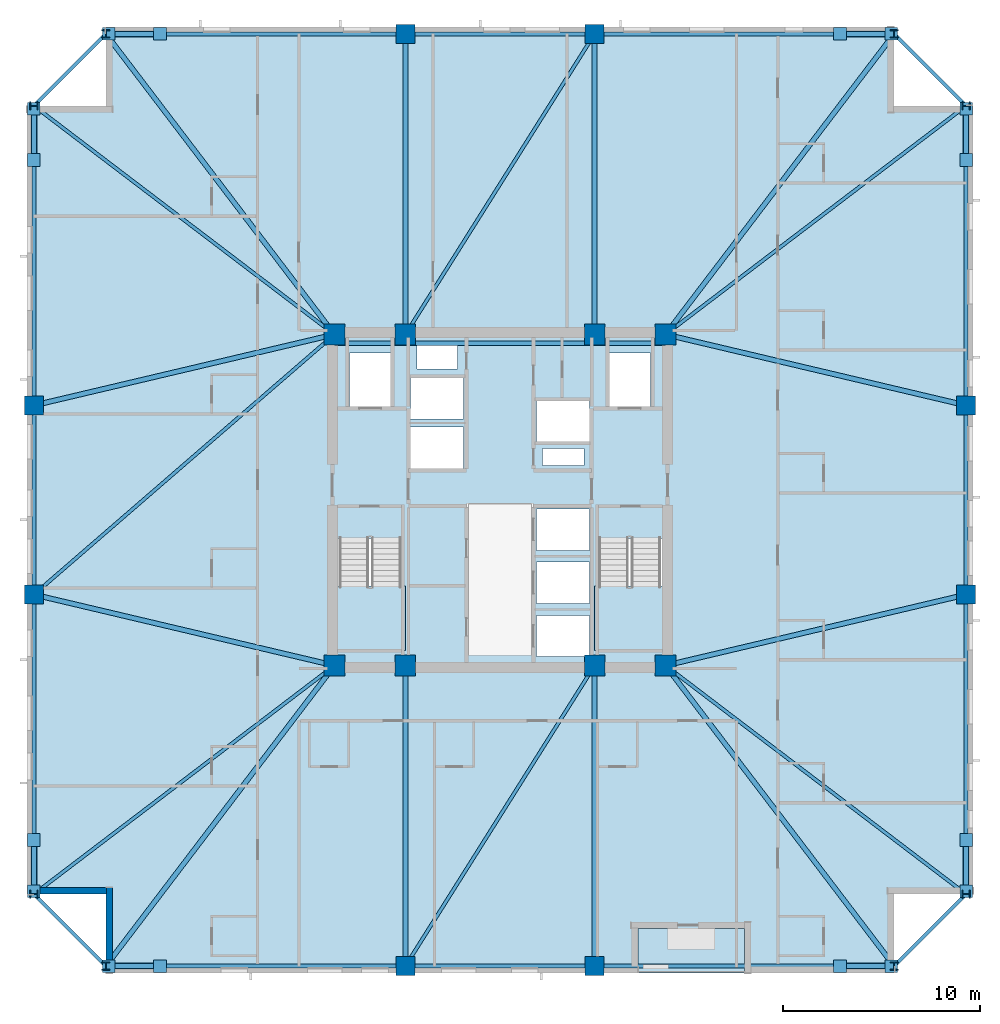
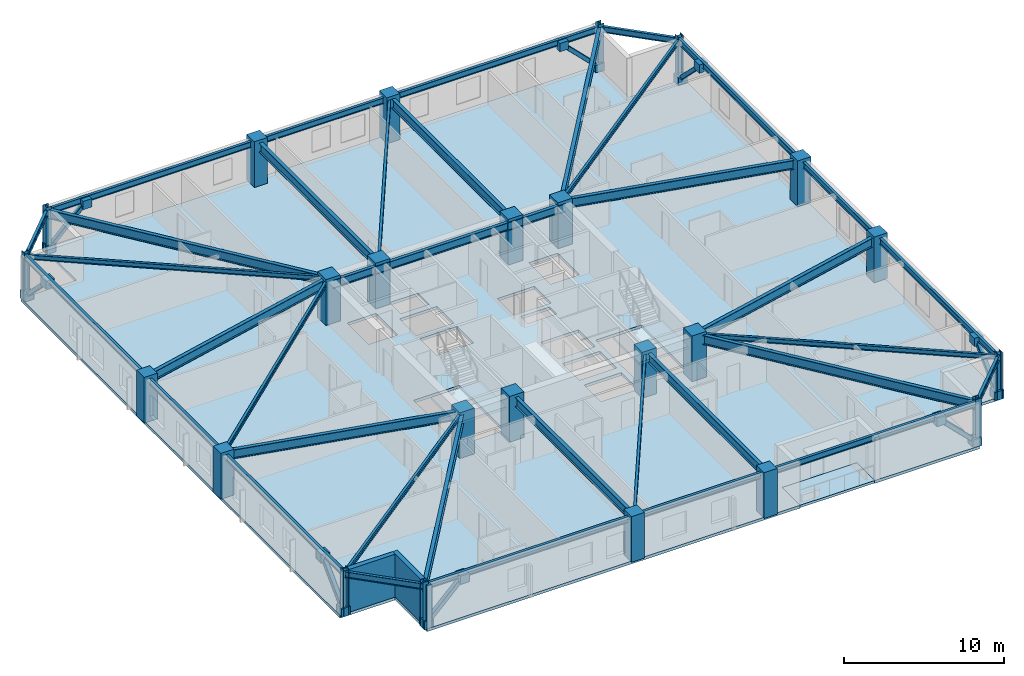
# One storey, part 1 of 11: 38 beams, 24 columns, 16 plates, 8 members, 4 slabs, 2 walls, 2 elements without a shape of their own.
"""IFC4 building model written with IfcOpenShell, lengths in metres."""

from ifc_helpers import new_model, si_unit, direction, frame, frame_2d, origin, origin_2d, place, context, subcontext, project, spatial, polyline, rectangle, hollow_rectangle, i_section, outline, extrude, material, layer, layer_set, material_profile, profile_set, type_object, element, aggregate, save


model = new_model("IFC4")

# Units and contexts
model_context = context("Model", 3, precision=1e-05, world=origin(), true_north=direction((0.0, 1.0)))
body_context = subcontext(model_context, "Body", "Model", "MODEL_VIEW")
ifc_project = project(units=[si_unit("LENGTHUNIT", "METRE"), si_unit("AREAUNIT", "SQUARE_METRE"), si_unit("VOLUMEUNIT", "CUBIC_METRE"), si_unit("PLANEANGLEUNIT", "RADIAN"), si_unit("MASSUNIT", "GRAM", prefix="KILO")], contexts=[model_context])

# Site, building, storey
site_placement = place(None, origin())
site = spatial("IfcSite", under=ifc_project, at=site_placement, CompositionType="ELEMENT")
building_placement = place(site_placement, origin())
building = spatial("IfcBuilding", under=site, at=building_placement, Name="Cairnveth Concourse Tower", CompositionType="ELEMENT")
storey_placement = place(building_placement, frame((0.0, 0.0, 169.0)))
storey = spatial("IfcBuildingStorey", under=building, at=storey_placement, Name="L46", CompositionType="ELEMENT", Elevation=169.0)

# Columns
ifc_material_1 = material(Name="Concrete N65 (65 MPa)", Category="concrete")
ifc_material_profile_1 = material_profile(ifc_material_1, rectangle(XDim=1.050048828125, YDim=1.050048828125, at=origin_2d()), Name="RC-COL-1050x1050")
ifc_profile_set_1 = profile_set([ifc_material_profile_1], Name="Concrete N65 (65 MPa)")
column_type_1 = type_object("IfcColumnType", Name="CORE COLUMN 1050X1050", PredefinedType="COLUMN", material=ifc_profile_set_1)
for number, where, z_axis, x_axis, name in (
    (1, (43.60009765625, 30.60009765625, 0.0), (0.0, 0.0, 1.0), (1.0, 0.0, 0.0), "Column CC1 L46"),
    (2, (47.199951171875, 30.60009765625, 0.0), (0.0, 0.0, 1.0), (1.0, 0.0, 0.0), "Column CC2 L46"),
    (3, (56.800048828125, 30.60009765625, 0.0), (0.0, 0.0, 1.0), (1.0, 0.0, 0.0), "Column CC3 L46"),
    (4, (60.39990234375, 30.60009765625, 0.0), (0.0, 0.0, 1.0), (1.0, 0.0, 0.0), "Column CC4 L46"),
    (5, (43.60009765625, 47.39990234375, 0.0), (0.0, 0.0, 1.0), (1.0, 0.0, 0.0), "Column CC5 L46"),
    (6, (47.199951171875, 47.39990234375, 0.0), (0.0, 0.0, 1.0), (1.0, 0.0, 0.0), "Column CC6 L46"),
    (7, (56.800048828125, 47.39990234375, 0.0), (0.0, 0.0, 1.0), (1.0, 0.0, 0.0), "Column CC7 L46"),
    (8, (60.39990234375, 47.39990234375, 0.0), (0.0, 0.0, 1.0), (1.0, 0.0, 0.0), "Column CC8 L46"),
):
    element("IfcColumn", number, at=place(storey_placement, frame(where, z_axis=z_axis, x_axis=x_axis)), inside=storey, type_object=column_type_1, Name=name, PredefinedType="COLUMN", context=body_context, shape_type="SweptSolid", body=[
        extrude(rectangle(XDim=1.050048828125, YDim=1.050048828125, at=origin_2d()), origin(), (0.0, 0.0, 1.0), 3.5),
    ])
ifc_material_profile_2 = material_profile(ifc_material_1, rectangle(XDim=0.949951171875, YDim=0.949951171875, at=origin_2d()), Name="RC-COL-950x950")
ifc_profile_set_2 = profile_set([ifc_material_profile_2], Name="Concrete N65 (65 MPa)")
column_type_2 = type_object("IfcColumnType", Name="PERIMETER PIER COLUMN 950X950", PredefinedType="COLUMN", material=ifc_profile_set_2)
for number, where, z_axis, x_axis, name in (
    (9, (47.199951171875, 15.35009765625, 0.0), (0.0, 0.0, 1.0), (1.0, 0.0, 0.0), "Column P-S2 L46"),
    (10, (56.800048828125, 15.35009765625, 0.0), (0.0, 0.0, 1.0), (1.0, 0.0, 0.0), "Column P-S3 L46"),
    (11, (75.64990234375, 34.199951171875, 0.0), (0.0, 0.0, 1.0), (0.0, 1.0, 0.0), "Column P-E2 L46"),
    (12, (75.64990234375, 43.800048828125, 0.0), (0.0, 0.0, 1.0), (0.0, 1.0, 0.0), "Column P-E3 L46"),
    (13, (56.800048828125, 62.64990234375, 0.0), (0.0, 0.0, 1.0), (1.0, 0.0, 0.0), "Column P-N2 L46"),
    (14, (47.199951171875, 62.64990234375, 0.0), (0.0, 0.0, 1.0), (1.0, 0.0, 0.0), "Column P-N3 L46"),
    (15, (28.35009765625, 43.800048828125, 0.0), (0.0, 0.0, 1.0), (0.0, 1.0, 0.0), "Column P-W2 L46"),
    (16, (28.35009765625, 34.199951171875, 0.0), (0.0, 0.0, 1.0), (0.0, 1.0, 0.0), "Column P-W3 L46"),
):
    element("IfcColumn", number, at=place(storey_placement, frame(where, z_axis=z_axis, x_axis=x_axis)), inside=storey, type_object=column_type_2, Name=name, PredefinedType="COLUMN", context=body_context, shape_type="SweptSolid", body=[
        extrude(rectangle(XDim=0.949951171875, YDim=0.949951171875, at=origin_2d()), origin(), (0.0, 0.0, 1.0), 3.5),
    ])
ifc_material_2 = material(Name="Steel Grade 350", Category="steel")
ifc_material_profile_3 = material_profile(ifc_material_2, i_section(OverallWidth=0.39990234375, OverallDepth=0.39990234375, WebThickness=0.02197265625, FlangeThickness=0.035888671875, at=origin_2d()), Name="400WC270")
ifc_profile_set_3 = profile_set([ifc_material_profile_3], Name="Steel Grade 350")
column_type_3 = type_object("IfcColumnType", Name="WELDED STEEL COLUMN 400WC270", PredefinedType="COLUMN", material=ifc_profile_set_3)
for number, where, z_axis, x_axis, name in (
    (17, (32.0, 15.35009765625, 0.0), (0.0, 0.0, 1.0), (1.0, 0.0, 0.0), "Column P-S1 L46"),
    (18, (72.0, 15.35009765625, 0.0), (0.0, 0.0, 1.0), (1.0, 0.0, 0.0), "Column P-S4 L46"),
    (19, (75.64990234375, 19.0, 0.0), (0.0, 0.0, 1.0), (0.0, 1.0, 0.0), "Column P-E1 L46"),
    (20, (75.64990234375, 59.0, 0.0), (0.0, 0.0, 1.0), (0.0, 1.0, 0.0), "Column P-E4 L46"),
    (21, (72.0, 62.64990234375, 0.0), (0.0, 0.0, 1.0), (1.0, 0.0, 0.0), "Column P-N1 L46"),
    (22, (32.0, 62.64990234375, 0.0), (0.0, 0.0, 1.0), (1.0, 0.0, 0.0), "Column P-N4 L46"),
    (23, (28.35009765625, 59.0, 0.0), (0.0, 0.0, 1.0), (0.0, 1.0, 0.0), "Column P-W1 L46"),
    (24, (28.35009765625, 19.0, 0.0), (0.0, 0.0, 1.0), (0.0, 1.0, 0.0), "Column P-W4 L46"),
):
    element("IfcColumn", number, at=place(storey_placement, frame(where, z_axis=z_axis, x_axis=x_axis)), inside=storey, type_object=column_type_3, Name=name, PredefinedType="COLUMN", context=body_context, shape_type="SweptSolid", body=[
        extrude(i_section(OverallWidth=0.39990234375, OverallDepth=0.39990234375, WebThickness=0.02197265625, FlangeThickness=0.035888671875, at=origin_2d()), origin(), (0.0, 0.0, 1.0), 3.5),
    ])

# Beams
ifc_material_profile_4 = material_profile(ifc_material_2, i_section(OverallWidth=0.22802734375, OverallDepth=0.60693359375, WebThickness=0.01123046875, FlangeThickness=0.017333984375, FilletRadius=0.013916015625, at=origin_2d()), Name="610UB113")
ifc_profile_set_4 = profile_set([ifc_material_profile_4], Name="Steel Grade 350")
beam_type_1 = type_object("IfcBeamType", Name="CORE TIE BEAM 610UB113", PredefinedType="T_BEAM", material=ifc_profile_set_4)
for number, where, z_axis, x_axis, name in (
    (25, (43.60009765625, 46.949951171875, 2.9765625), (1.0, 0.0, 0.0), (0.0, 1.0, 0.0), "Beam CT-N1 L46"),
    (26, (56.800048828125, 46.949951171875, 2.9765625), (1.0, 0.0, 0.0), (0.0, 1.0, 0.0), "Beam CT-N3 L46"),
):
    element("IfcBeam", number, at=place(storey_placement, frame(where, z_axis=z_axis, x_axis=x_axis)), inside=storey, type_object=beam_type_1, Name=name, PredefinedType="T_BEAM", context=body_context, shape_type="SweptSolid", body=[
        extrude(i_section(OverallWidth=0.22802734375, OverallDepth=0.60693359375, WebThickness=0.01123046875, FlangeThickness=0.017333984375, FilletRadius=0.013916015625, at=origin_2d()), origin(), (0.0, 0.0, 1.0), 3.599853515625),
    ])
beam_1_placement = place(storey_placement, frame((47.199951171875, 46.949951171875, 2.9765625), z_axis=(1.0, 0.0, 0.0), x_axis=(0.0, 1.0, 0.0)))
element("IfcBeam", 27, at=beam_1_placement, inside=storey, type_object=beam_type_1, Name="Beam CT-N2 L46", PredefinedType="T_BEAM", context=body_context, shape_type="SweptSolid", body=[
    extrude(i_section(OverallWidth=0.22802734375, OverallDepth=0.60693359375, WebThickness=0.01123046875, FlangeThickness=0.017333984375, FilletRadius=0.013916015625, at=origin_2d()), origin(), (0.0, 0.0, 1.0), 9.60009765625),
])
ifc_material_profile_5 = material_profile(ifc_material_2, i_section(OverallWidth=0.172119140625, OverallDepth=0.35888671875, WebThickness=0.008056640625, FlangeThickness=0.012939453125, FilletRadius=0.010986328125, at=origin_2d()), Name="360UB56.7")
ifc_profile_set_5 = profile_set([ifc_material_profile_5], Name="Steel Grade 350")
beam_type_2 = type_object("IfcBeamType", Name="ZONE 2 FLOOR JOIST 360UB56.7", PredefinedType="JOIST", material=ifc_profile_set_5)
for number, where, z_axis, x_axis, name in (
    (28, (28.35009765625, 19.0, 3.1005859375), (0.795908242904, 0.6054172684, 0.0), (-0.6054172684, 0.795908242904, 0.0), "Beam FJ-CSW2 L46"),
    (29, (75.64990234375, 19.0, 3.1005859375), (-0.795908242904, 0.6054172684, 0.0), (-0.6054172684, -0.795908242904, 0.0), "Beam FJ-CSE2 L46"),
    (30, (75.64990234375, 59.0, 3.1005859375), (-0.795908242904, -0.6054172684, 0.0), (0.6054172684, -0.795908242904, 0.0), "Beam FJ-CNE2 L46"),
    (31, (28.35009765625, 59.0, 3.1005859375), (0.795908242904, -0.6054172684, 0.0), (0.6054172684, 0.795908242904, 0.0), "Beam FJ-CNW2 L46"),
):
    element("IfcBeam", number, at=place(storey_placement, frame(where, z_axis=z_axis, x_axis=x_axis)), inside=storey, type_object=beam_type_2, Name=name, PredefinedType="JOIST", context=body_context, shape_type="SweptSolid", body=[
        extrude(i_section(OverallWidth=0.172119140625, OverallDepth=0.35888671875, WebThickness=0.008056640625, FlangeThickness=0.012939453125, FilletRadius=0.010986328125, at=origin_2d()), origin(), (0.0, 0.0, 1.0), 19.160400390625),
    ])
for number, where, z_axis, x_axis, name in (
    (32, (47.199951171875, 15.35009765625, 3.1005859375), (0.532743557037, 0.84627672923, 0.0), (-0.84627672923, 0.532743557037, 0.0), "Beam FJ-S-M1 L46"),
    (33, (47.199951171875, 47.39990234375, 3.1005859375), (0.532743557037, 0.84627672923, 0.0), (-0.84627672923, 0.532743557037, 0.0), "Beam FJ-N-M1 L46"),
):
    element("IfcBeam", number, at=place(storey_placement, frame(where, z_axis=z_axis, x_axis=x_axis)), inside=storey, type_object=beam_type_2, Name=name, PredefinedType="JOIST", context=body_context, shape_type="SweptSolid", body=[
        extrude(i_section(OverallWidth=0.172119140625, OverallDepth=0.35888671875, WebThickness=0.008056640625, FlangeThickness=0.012939453125, FilletRadius=0.010986328125, at=origin_2d()), origin(), (0.0, 0.0, 1.0), 18.02001953125),
    ])
beam_2_placement = place(storey_placement, frame((28.35009765625, 34.199951171875, 3.1005859375), z_axis=(0.756099107057, 0.654457134049, 0.0), x_axis=(-0.654457134049, 0.756099107057, 0.0)))
element("IfcBeam", 34, at=beam_2_placement, inside=storey, type_object=beam_type_2, Name="Beam FJ-W-M1 L46", PredefinedType="JOIST", context=body_context, shape_type="SweptSolid", body=[
    extrude(i_section(OverallWidth=0.172119140625, OverallDepth=0.35888671875, WebThickness=0.008056640625, FlangeThickness=0.012939453125, FilletRadius=0.010986328125, at=origin_2d()), origin(), (0.0, 0.0, 1.0), 20.16943359375),
])

# Members
ifc_material_3 = material(Name="Steel C350L0 (350 MPa)", Category="steel")
ifc_material_profile_6 = material_profile(ifc_material_3, hollow_rectangle(XDim=0.300048828125, YDim=0.300048828125, WallThickness=0.01611328125, InnerFilletRadius=0.01611328125, OuterFilletRadius=0.031982421875, at=origin_2d()), Name="300x300x16.0SHS")
ifc_profile_set_6 = profile_set([ifc_material_profile_6], Name="Steel C350L0 (350 MPa)")
member_type = type_object("IfcMemberType", Name="ZONE 2 PIER BRACE 300X300X16SHS", PredefinedType="BRACE", material=ifc_profile_set_6)
for number, where, z_axis, x_axis, name in (
    (35, (32.14990234375, 15.35009765625, 0.25), (0.709834195787, 0.0, 0.704368805735), (0.0, 1.0, 0.0), "Structural Brace PB-S1 L46"),
    (36, (71.85009765625, 15.35009765625, 0.25), (-0.709834195787, 0.0, 0.704368805735), (0.0, -1.0, 0.0), "Structural Brace PB-S2 L46"),
    (37, (32.14990234375, 62.64990234375, 0.25), (0.709834195787, 0.0, 0.704368805735), (0.0, 1.0, 0.0), "Structural Brace PB-N1 L46"),
    (38, (71.85009765625, 62.64990234375, 0.25), (-0.709834195787, 0.0, 0.704368805735), (0.0, -1.0, 0.0), "Structural Brace PB-N2 L46"),
    (39, (28.35009765625, 19.14990234375, 0.25), (0.0, 0.709834195787, 0.704368805735), (-1.0, 0.0, 0.0), "Structural Brace PB-W1 L46"),
    (40, (28.35009765625, 58.85009765625, 0.25), (0.0, -0.709834195787, 0.704368805735), (1.0, 0.0, 0.0), "Structural Brace PB-W2 L46"),
    (41, (75.64990234375, 19.14990234375, 0.25), (0.0, 0.709834195787, 0.704368805735), (-1.0, 0.0, 0.0), "Structural Brace PB-E1 L46"),
    (42, (75.64990234375, 58.85009765625, 0.25), (0.0, -0.709834195787, 0.704368805735), (1.0, 0.0, 0.0), "Structural Brace PB-E2 L46"),
):
    element("IfcMember", number, at=place(storey_placement, frame(where, z_axis=z_axis, x_axis=x_axis)), inside=storey, type_object=member_type, Name=name, PredefinedType="BRACE", context=body_context, shape_type="SweptSolid", body=[
        extrude(hollow_rectangle(XDim=0.300048828125, YDim=0.300048828125, WallThickness=0.01611328125, InnerFilletRadius=0.01611328125, OuterFilletRadius=0.031982421875, at=origin_2d()), origin(), (0.0, 0.0, 1.0), 3.6630859375),
    ])

# Beams
ifc_material_profile_7 = material_profile(ifc_material_2, i_section(OverallWidth=0.25, OverallDepth=0.699951171875, WebThickness=0.011962890625, FlangeThickness=0.028076171875, at=origin_2d()), Name="700WB173")
ifc_profile_set_7 = profile_set([ifc_material_profile_7], Name="Steel Grade 350")
beam_type_3 = type_object("IfcBeamType", Name="ZONE 2 RADIAL GIRDER 700WB173", PredefinedType="BEAM", material=ifc_profile_set_7)
for number, where, z_axis, x_axis, name in (
    (43, (47.199951171875, 15.35009765625, 2.929931640625), (0.0, 1.0, 0.0), (-1.0, 0.0, 0.0), "Beam RG-S1 L46"),
    (44, (56.800048828125, 15.35009765625, 2.929931640625), (0.0, 1.0, 0.0), (-1.0, 0.0, 0.0), "Beam RG-S2 L46"),
    (45, (47.199951171875, 47.39990234375, 2.929931640625), (0.0, 1.0, 0.0), (-1.0, 0.0, 0.0), "Beam RG-N1 L46"),
    (46, (56.800048828125, 47.39990234375, 2.929931640625), (0.0, 1.0, 0.0), (-1.0, 0.0, 0.0), "Beam RG-N2 L46"),
):
    element("IfcBeam", number, at=place(storey_placement, frame(where, z_axis=z_axis, x_axis=x_axis)), inside=storey, type_object=beam_type_3, Name=name, PredefinedType="BEAM", context=body_context, shape_type="SweptSolid", body=[
        extrude(i_section(OverallWidth=0.25, OverallDepth=0.699951171875, WebThickness=0.011962890625, FlangeThickness=0.028076171875, at=origin_2d()), origin(), (0.0, 0.0, 1.0), 15.25),
    ])
for number, where, z_axis, x_axis, name in (
    (47, (28.35009765625, 34.199951171875, 2.929931640625), (0.973251602929, -0.229741849468, 0.0), (0.229741849468, 0.973251602929, 0.0), "Beam RG-W1 L46"),
    (48, (28.35009765625, 43.800048828125, 2.929931640625), (0.973251602929, 0.229741849468, 0.0), (-0.229741849468, 0.973251602929, 0.0), "Beam RG-W2 L46"),
    (49, (60.39990234375, 30.60009765625, 2.929931640625), (0.973251602929, 0.229741849468, 0.0), (-0.229741849468, 0.973251602929, 0.0), "Beam RG-E1 L46"),
    (50, (60.39990234375, 47.39990234375, 2.929931640625), (0.973251602929, -0.229741849468, 0.0), (0.229741849468, 0.973251602929, 0.0), "Beam RG-E2 L46"),
):
    element("IfcBeam", number, at=place(storey_placement, frame(where, z_axis=z_axis, x_axis=x_axis)), inside=storey, type_object=beam_type_3, Name=name, PredefinedType="BEAM", context=body_context, shape_type="SweptSolid", body=[
        extrude(i_section(OverallWidth=0.25, OverallDepth=0.699951171875, WebThickness=0.011962890625, FlangeThickness=0.028076171875, at=origin_2d()), origin(), (0.0, 0.0, 1.0), 15.669189453125),
    ])
for number, where, z_axis, x_axis, name in (
    (51, (32.0, 15.35009765625, 2.929931640625), (0.6054172684, 0.795908242904, 0.0), (-0.795908242904, 0.6054172684, 0.0), "Beam RG-CSW L46"),
    (52, (72.0, 15.35009765625, 2.929931640625), (-0.6054172684, 0.795908242904, 0.0), (-0.795908242904, -0.6054172684, 0.0), "Beam RG-CSE L46"),
    (53, (72.0, 62.64990234375, 2.929931640625), (-0.6054172684, -0.795908242904, 0.0), (0.795908242904, -0.6054172684, 0.0), "Beam RG-CNE L46"),
    (54, (32.0, 62.64990234375, 2.929931640625), (0.6054172684, -0.795908242904, 0.0), (0.795908242904, 0.6054172684, 0.0), "Beam RG-CNW L46"),
):
    element("IfcBeam", number, at=place(storey_placement, frame(where, z_axis=z_axis, x_axis=x_axis)), inside=storey, type_object=beam_type_3, Name=name, PredefinedType="BEAM", context=body_context, shape_type="SweptSolid", body=[
        extrude(i_section(OverallWidth=0.25, OverallDepth=0.699951171875, WebThickness=0.011962890625, FlangeThickness=0.028076171875, at=origin_2d()), origin(), (0.0, 0.0, 1.0), 19.160400390625),
    ])
ifc_material_profile_8 = material_profile(ifc_material_2, i_section(OverallWidth=0.18994140625, OverallDepth=0.45703125, WebThickness=0.009033203125, FlangeThickness=0.014404296875, FilletRadius=0.010986328125, at=origin_2d()), Name="460UB74.6")
ifc_profile_set_8 = profile_set([ifc_material_profile_8], Name="Steel Grade 350")
beam_type_4 = type_object("IfcBeamType", Name="ZONE 2 SPANDREL BEAM 460UB74.6", PredefinedType="SPANDREL", material=ifc_profile_set_8)
beam_3_placement = place(storey_placement, frame((32.0, 15.35009765625, 3.051513671875), z_axis=(1.0, 0.0, 0.0), x_axis=(0.0, 1.0, 0.0)))
element("IfcBeam", 55, at=beam_3_placement, inside=storey, type_object=beam_type_4, Name="Beam SP-S1 L46", PredefinedType="SPANDREL", context=body_context, shape_type="SweptSolid", body=[
    extrude(i_section(OverallWidth=0.18994140625, OverallDepth=0.45703125, WebThickness=0.009033203125, FlangeThickness=0.014404296875, FilletRadius=0.010986328125, at=origin_2d()), origin(), (0.0, 0.0, 1.0), 15.199951171875),
])
beam_4_placement = place(storey_placement, frame((47.199951171875, 15.35009765625, 3.051513671875), z_axis=(1.0, 0.0, 0.0), x_axis=(0.0, 1.0, 0.0)))
element("IfcBeam", 56, at=beam_4_placement, inside=storey, type_object=beam_type_4, Name="Beam SP-S2 L46", PredefinedType="SPANDREL", context=body_context, shape_type="SweptSolid", body=[
    extrude(i_section(OverallWidth=0.18994140625, OverallDepth=0.45703125, WebThickness=0.009033203125, FlangeThickness=0.014404296875, FilletRadius=0.010986328125, at=origin_2d()), origin(), (0.0, 0.0, 1.0), 9.60009765625),
])
for number, where, z_axis, x_axis, name in (
    (57, (56.800048828125, 15.35009765625, 3.051513671875), (1.0, 0.0, 0.0), (0.0, 1.0, 0.0), "Beam SP-S3 L46"),
    (58, (32.0, 62.64990234375, 3.051513671875), (1.0, 0.0, 0.0), (0.0, 1.0, 0.0), "Beam SP-N1 L46"),
):
    element("IfcBeam", number, at=place(storey_placement, frame(where, z_axis=z_axis, x_axis=x_axis)), inside=storey, type_object=beam_type_4, Name=name, PredefinedType="SPANDREL", context=body_context, shape_type="SweptSolid", body=[
        extrude(i_section(OverallWidth=0.18994140625, OverallDepth=0.45703125, WebThickness=0.009033203125, FlangeThickness=0.014404296875, FilletRadius=0.010986328125, at=origin_2d()), origin(), (0.0, 0.0, 1.0), 15.199951171875),
    ])
beam_5_placement = place(storey_placement, frame((47.199951171875, 62.64990234375, 3.051513671875), z_axis=(1.0, 0.0, 0.0), x_axis=(0.0, 1.0, 0.0)))
element("IfcBeam", 59, at=beam_5_placement, inside=storey, type_object=beam_type_4, Name="Beam SP-N2 L46", PredefinedType="SPANDREL", context=body_context, shape_type="SweptSolid", body=[
    extrude(i_section(OverallWidth=0.18994140625, OverallDepth=0.45703125, WebThickness=0.009033203125, FlangeThickness=0.014404296875, FilletRadius=0.010986328125, at=origin_2d()), origin(), (0.0, 0.0, 1.0), 9.60009765625),
])
for number, where, z_axis, x_axis, name in (
    (60, (56.800048828125, 62.64990234375, 3.051513671875), (1.0, 0.0, 0.0), (0.0, 1.0, 0.0), "Beam SP-N3 L46"),
    (61, (28.35009765625, 19.0, 3.051513671875), (0.0, 1.0, 0.0), (-1.0, 0.0, 0.0), "Beam SP-W1 L46"),
):
    element("IfcBeam", number, at=place(storey_placement, frame(where, z_axis=z_axis, x_axis=x_axis)), inside=storey, type_object=beam_type_4, Name=name, PredefinedType="SPANDREL", context=body_context, shape_type="SweptSolid", body=[
        extrude(i_section(OverallWidth=0.18994140625, OverallDepth=0.45703125, WebThickness=0.009033203125, FlangeThickness=0.014404296875, FilletRadius=0.010986328125, at=origin_2d()), origin(), (0.0, 0.0, 1.0), 15.199951171875),
    ])
beam_6_placement = place(storey_placement, frame((28.35009765625, 34.199951171875, 3.051513671875), z_axis=(0.0, 1.0, 0.0), x_axis=(-1.0, 0.0, 0.0)))
element("IfcBeam", 62, at=beam_6_placement, inside=storey, type_object=beam_type_4, Name="Beam SP-W2 L46", PredefinedType="SPANDREL", context=body_context, shape_type="SweptSolid", body=[
    extrude(i_section(OverallWidth=0.18994140625, OverallDepth=0.45703125, WebThickness=0.009033203125, FlangeThickness=0.014404296875, FilletRadius=0.010986328125, at=origin_2d()), origin(), (0.0, 0.0, 1.0), 9.60009765625),
])
for number, where, z_axis, x_axis, name in (
    (63, (28.35009765625, 43.800048828125, 3.051513671875), (0.0, 1.0, 0.0), (-1.0, 0.0, 0.0), "Beam SP-W3 L46"),
    (64, (75.64990234375, 19.0, 3.051513671875), (0.0, 1.0, 0.0), (-1.0, 0.0, 0.0), "Beam SP-E1 L46"),
):
    element("IfcBeam", number, at=place(storey_placement, frame(where, z_axis=z_axis, x_axis=x_axis)), inside=storey, type_object=beam_type_4, Name=name, PredefinedType="SPANDREL", context=body_context, shape_type="SweptSolid", body=[
        extrude(i_section(OverallWidth=0.18994140625, OverallDepth=0.45703125, WebThickness=0.009033203125, FlangeThickness=0.014404296875, FilletRadius=0.010986328125, at=origin_2d()), origin(), (0.0, 0.0, 1.0), 15.199951171875),
    ])
beam_7_placement = place(storey_placement, frame((75.64990234375, 34.199951171875, 3.051513671875), z_axis=(0.0, 1.0, 0.0), x_axis=(-1.0, 0.0, 0.0)))
element("IfcBeam", 65, at=beam_7_placement, inside=storey, type_object=beam_type_4, Name="Beam SP-E2 L46", PredefinedType="SPANDREL", context=body_context, shape_type="SweptSolid", body=[
    extrude(i_section(OverallWidth=0.18994140625, OverallDepth=0.45703125, WebThickness=0.009033203125, FlangeThickness=0.014404296875, FilletRadius=0.010986328125, at=origin_2d()), origin(), (0.0, 0.0, 1.0), 9.60009765625),
])
beam_8_placement = place(storey_placement, frame((75.64990234375, 43.800048828125, 3.051513671875), z_axis=(0.0, 1.0, 0.0), x_axis=(-1.0, 0.0, 0.0)))
element("IfcBeam", 66, at=beam_8_placement, inside=storey, type_object=beam_type_4, Name="Beam SP-E3 L46", PredefinedType="SPANDREL", context=body_context, shape_type="SweptSolid", body=[
    extrude(i_section(OverallWidth=0.18994140625, OverallDepth=0.45703125, WebThickness=0.009033203125, FlangeThickness=0.014404296875, FilletRadius=0.010986328125, at=origin_2d()), origin(), (0.0, 0.0, 1.0), 15.199951171875),
])
for number, where, z_axis, x_axis, name in (
    (67, (28.35009765625, 19.0, 3.051513671875), (0.707106781187, -0.707106781187, 0.0), (0.707106781187, 0.707106781187, 0.0), "Beam SP-SW L46"),
    (68, (72.0, 15.35009765625, 3.051513671875), (0.707106781187, 0.707106781187, 0.0), (-0.707106781187, 0.707106781187, 0.0), "Beam SP-SE L46"),
    (69, (72.0, 62.64990234375, 3.051513671875), (0.707106781187, -0.707106781187, 0.0), (0.707106781187, 0.707106781187, 0.0), "Beam SP-NE L46"),
    (70, (28.35009765625, 59.0, 3.051513671875), (0.707106781187, 0.707106781187, 0.0), (-0.707106781187, 0.707106781187, 0.0), "Beam SP-NW L46"),
):
    element("IfcBeam", number, at=place(storey_placement, frame(where, z_axis=z_axis, x_axis=x_axis)), inside=storey, type_object=beam_type_4, Name=name, PredefinedType="SPANDREL", context=body_context, shape_type="SweptSolid", body=[
        extrude(i_section(OverallWidth=0.18994140625, OverallDepth=0.45703125, WebThickness=0.009033203125, FlangeThickness=0.014404296875, FilletRadius=0.010986328125, at=origin_2d()), origin(), (0.0, 0.0, 1.0), 5.16162109375),
    ])

# Slab
ifc_material_4 = material(Name="Concrete N50 (50 MPa)", Category="concrete")
ifc_layer_1 = layer(ifc_material_4, 0.219970703125)
ifc_layer_set_1 = layer_set([ifc_layer_1], Name="Concrete N50 (50 MPa)")
slab_type_1 = type_object("IfcSlabType", Name="LOWER TOWER COMPOSITE SLAB 220", PredefinedType="FLOOR", material=ifc_layer_set_1)
slab_1_placement = place(storey_placement, frame((0.0, 0.0, -0.219970703125)))
element("IfcSlab", 71, at=slab_1_placement, inside=storey, type_object=slab_type_1, Name="Tower Floor Slab L46", PredefinedType="FLOOR", context=body_context, shape_type="SweptSolid", body=[
    extrude(outline(polyline([(59.0, 15.0), (59.0, 17.25), (64.39990234375, 17.25), (64.39990234375, 15.0), (72.0, 15.0), (72.0, 19.0), (76.0, 19.0), (76.0, 59.0), (72.0, 59.0), (72.0, 63.0), (32.0, 63.0), (32.0, 59.0), (28.0, 59.0), (28.0, 19.0), (32.0, 19.0), (32.0, 15.0), (59.0, 15.0)]), holes=[polyline([(43.760009765625, 31.360107421875), (47.06005859375, 31.360107421875), (47.06005859375, 37.0400390625), (43.760009765625, 37.0400390625), (43.760009765625, 31.360107421875)]), polyline([(56.93994140625, 31.360107421875), (60.239990234375, 31.360107421875), (60.239990234375, 37.0400390625), (56.93994140625, 37.0400390625), (56.93994140625, 31.360107421875)]), polyline([(44.3701171875, 43.75), (46.469970703125, 43.75), (46.469970703125, 46.449951171875), (44.3701171875, 46.449951171875), (44.3701171875, 43.75)]), polyline([(57.530029296875, 43.75), (59.6298828125, 43.75), (59.6298828125, 46.449951171875), (57.530029296875, 46.449951171875), (57.530029296875, 43.75)]), polyline([(53.85009765625, 31.050048828125), (56.550048828125, 31.050048828125), (56.550048828125, 33.14990234375), (53.85009765625, 33.14990234375), (53.85009765625, 31.050048828125)]), polyline([(53.85009765625, 33.75), (56.550048828125, 33.75), (56.550048828125, 35.85009765625), (53.85009765625, 35.85009765625), (53.85009765625, 33.75)]), polyline([(53.85009765625, 36.449951171875), (56.550048828125, 36.449951171875), (56.550048828125, 38.550048828125), (53.85009765625, 38.550048828125), (53.85009765625, 36.449951171875)]), polyline([(47.449951171875, 40.60009765625), (50.14990234375, 40.60009765625), (50.14990234375, 42.699951171875), (47.449951171875, 42.699951171875), (47.449951171875, 40.60009765625)]), polyline([(47.449951171875, 43.10009765625), (50.14990234375, 43.10009765625), (50.14990234375, 45.199951171875), (47.449951171875, 45.199951171875), (47.449951171875, 43.10009765625)]), polyline([(53.85009765625, 41.949951171875), (56.550048828125, 41.949951171875), (56.550048828125, 44.050048828125), (53.85009765625, 44.050048828125), (53.85009765625, 41.949951171875)]), polyline([(47.800048828125, 45.64990234375), (49.85009765625, 45.64990234375), (49.85009765625, 47.050048828125), (47.800048828125, 47.050048828125), (47.800048828125, 45.64990234375)]), polyline([(54.14990234375, 40.75), (56.25, 40.75), (56.25, 41.6201171875), (54.14990234375, 41.6201171875), (54.14990234375, 40.75)])]), origin(), (0.0, 0.0, 1.0), 0.219970703125),
])

# Plates
ifc_layer_2 = layer(ifc_material_2, 0.031982421875)
ifc_layer_set_2 = layer_set([ifc_layer_2], Name="Steel Grade 350")
plate_type = type_object("IfcPlateType", Name="PERIMETER BRACE GUSSET PLATE 32", PredefinedType="USERDEFINED", material=ifc_layer_set_2)
for number, where, z_axis, x_axis, name in (
    (72, (32.14990234375, 15.35009765625, -0.06982421875), (0.0, 0.0, 1.0), (1.0, 0.0, 0.0), "Structural Node Plate 0769 L46"),
    (73, (34.75, 15.35009765625, 2.51025390625), (0.0, 0.0, 1.0), (1.0, 0.0, 0.0), "Structural Node Plate 0770 L46"),
    (74, (71.85009765625, 15.35009765625, -0.06982421875), (0.0, 0.0, 1.0), (1.0, 0.0, 0.0), "Structural Node Plate 0771 L46"),
    (75, (69.25, 15.35009765625, 2.51025390625), (0.0, 0.0, 1.0), (1.0, 0.0, 0.0), "Structural Node Plate 0772 L46"),
    (76, (32.14990234375, 62.64990234375, -0.06982421875), (0.0, 0.0, 1.0), (1.0, 0.0, 0.0), "Structural Node Plate 0773 L46"),
    (77, (34.75, 62.64990234375, 2.51025390625), (0.0, 0.0, 1.0), (1.0, 0.0, 0.0), "Structural Node Plate 0774 L46"),
    (78, (71.85009765625, 62.64990234375, -0.06982421875), (0.0, 0.0, 1.0), (1.0, 0.0, 0.0), "Structural Node Plate 0775 L46"),
    (79, (69.25, 62.64990234375, 2.51025390625), (0.0, 0.0, 1.0), (1.0, 0.0, 0.0), "Structural Node Plate 0776 L46"),
    (80, (28.35009765625, 19.14990234375, -0.06982421875), (0.0, 0.0, 1.0), (1.0, 0.0, 0.0), "Structural Node Plate 0777 L46"),
    (81, (28.35009765625, 21.75, 2.51025390625), (0.0, 0.0, 1.0), (1.0, 0.0, 0.0), "Structural Node Plate 0778 L46"),
    (82, (28.35009765625, 58.85009765625, -0.06982421875), (0.0, 0.0, 1.0), (1.0, 0.0, 0.0), "Structural Node Plate 0779 L46"),
    (83, (28.35009765625, 56.25, 2.51025390625), (0.0, 0.0, 1.0), (1.0, 0.0, 0.0), "Structural Node Plate 0780 L46"),
    (84, (75.64990234375, 19.14990234375, -0.06982421875), (0.0, 0.0, 1.0), (1.0, 0.0, 0.0), "Structural Node Plate 0781 L46"),
    (85, (75.64990234375, 21.75, 2.51025390625), (0.0, 0.0, 1.0), (1.0, 0.0, 0.0), "Structural Node Plate 0782 L46"),
    (86, (75.64990234375, 58.85009765625, -0.06982421875), (0.0, 0.0, 1.0), (1.0, 0.0, 0.0), "Structural Node Plate 0783 L46"),
    (87, (75.64990234375, 56.25, 2.51025390625), (0.0, 0.0, 1.0), (1.0, 0.0, 0.0), "Structural Node Plate 0784 L46"),
):
    element("IfcPlate", number, at=place(storey_placement, frame(where, z_axis=z_axis, x_axis=x_axis)), inside=storey, type_object=plate_type, Name=name, ObjectType="GUSSET PLATE", PredefinedType="USERDEFINED", context=body_context, shape_type="SweptSolid", body=[
        extrude(rectangle(XDim=0.639892578125, YDim=0.639892578125, at=origin_2d()), origin(), (0.0, 0.0, 1.0), 0.639892578125),
    ])

# Slab
ifc_layer_3 = layer(ifc_material_4, 0.18994140625)
ifc_layer_set_3 = layer_set([ifc_layer_3], Name="Concrete N50 (50 MPa)")
slab_type_2 = type_object("IfcSlabType", Name="SPIRAL OUTDOOR TERRACE SLAB 190", PredefinedType="FLOOR", material=ifc_layer_set_3)
slab_2_placement = place(storey_placement, frame((0.0, 0.0, -0.18994140625)))
element("IfcSlab", 88, at=slab_2_placement, inside=storey, type_object=slab_type_2, Name="Spiral Terrace Slab L46", PredefinedType="FLOOR", context=body_context, shape_type="SweptSolid", body=[
    extrude(outline(polyline([(59.0, 15.0), (64.39990234375, 15.0), (64.39990234375, 17.25), (59.0, 17.25), (59.0, 15.0)])), origin(), (0.0, 0.0, 1.0), 0.18994140625),
])

# Stair, slab
ifc_material_5 = material(Name="Precast concrete N50 (50 MPa)", Category="concrete")
stair_type = type_object("IfcStairType", Name="CORE DOG-LEG FIRE STAIR 1500", PredefinedType="HALF_TURN_STAIR", material=ifc_material_5)
stair_1_placement = place(storey_placement, origin())
stair_1 = element("IfcStair", 89, at=stair_1_placement, inside=storey, type_object=stair_type, Name="L46 Fire-Isolated Stair ST-1", PredefinedType="HALF_TURN_STAIR")
ifc_layer_4 = layer(ifc_material_4, 0.199951171875)
ifc_layer_set_4 = layer_set([ifc_layer_4], Name="Concrete N50 (50 MPa)")
slab_type_3 = type_object("IfcSlabType", Name="STAIR HALF LANDING SLAB 200", PredefinedType="LANDING", material=ifc_layer_set_4)
slab_3_placement = place(storey_placement, frame((0.0, 0.0, 1.550048828125)))
slab_3 = element("IfcSlab", 90, at=slab_3_placement, type_object=slab_type_3, Name="ST-1 landing 1", PredefinedType="LANDING", context=body_context, shape_type="SweptSolid", body=[
    extrude(outline(polyline([(43.6201171875, 34.639892578125), (43.6201171875, 31.3701171875), (47.199951171875, 31.3701171875), (47.199951171875, 34.639892578125), (43.6201171875, 34.639892578125)])), origin(), (0.0, 0.0, 1.0), 0.199951171875),
])
aggregate(stair_1, [slab_3])

stair_2_placement = place(storey_placement, origin())
stair_2 = element("IfcStair", 91, at=stair_2_placement, inside=storey, type_object=stair_type, Name="L46 Fire-Isolated Stair ST-2", PredefinedType="HALF_TURN_STAIR")
slab_4_placement = place(storey_placement, frame((0.0, 0.0, 1.550048828125)))
slab_4 = element("IfcSlab", 92, at=slab_4_placement, type_object=slab_type_3, Name="ST-2 landing 1", PredefinedType="LANDING", context=body_context, shape_type="SweptSolid", body=[
    extrude(outline(polyline([(56.800048828125, 34.639892578125), (56.800048828125, 31.3701171875), (60.3798828125, 31.3701171875), (60.3798828125, 34.639892578125), (56.800048828125, 34.639892578125)])), origin(), (0.0, 0.0, 1.0), 0.199951171875),
])
aggregate(stair_2, [slab_4])

# Walls
ifc_material_6 = material(Name="Hawthorn Red-Ochre Fired Clay Brick Masonry", Category="masonry")
ifc_layer_5 = layer(ifc_material_6, 0.340087890625)
ifc_layer_set_5 = layer_set([ifc_layer_5], Name="Hawthorn Red-Ochre Fired Clay Brick Masonry")
wall_type = type_object("IfcWallType", Name="ZONE 2 BRICK PIER SPANDREL WALL 340", PredefinedType="SOLIDWALL", material=ifc_layer_set_5)
wall_1_placement = place(storey_placement, frame((32.169921875, 15.0, 0.0), z_axis=(0.0, 0.0, 1.0), x_axis=(0.0, 1.0, 0.0)))
element("IfcWall", 93, at=wall_1_placement, inside=storey, type_object=wall_type, Name="Exterior Wall EW-L46-S01", PredefinedType="SOLIDWALL", context=body_context, shape_type="SweptSolid", body=[
    extrude(rectangle(XDim=4.340087890625, YDim=0.340087890625, at=frame_2d((2.169921875, 0.0))), origin(), (0.0, 0.0, 1.0), 3.280029296875),
])
wall_2_placement = place(storey_placement, frame((32.02197265625, 19.169921875, 0.0), z_axis=(0.0, 0.0, 1.0), x_axis=(-1.0, 0.0, 0.0)))
element("IfcWall", 94, at=wall_2_placement, inside=storey, type_object=wall_type, Name="Exterior Wall EW-L46-S02", PredefinedType="SOLIDWALL", context=body_context, shape_type="SweptSolid", body=[
    extrude(rectangle(XDim=3.703857421875, YDim=0.340087890625, at=frame_2d((1.85205078125, 0.0))), origin(), (0.0, 0.0, 1.0), 3.280029296875),
])

save(model, "model.ifc")
